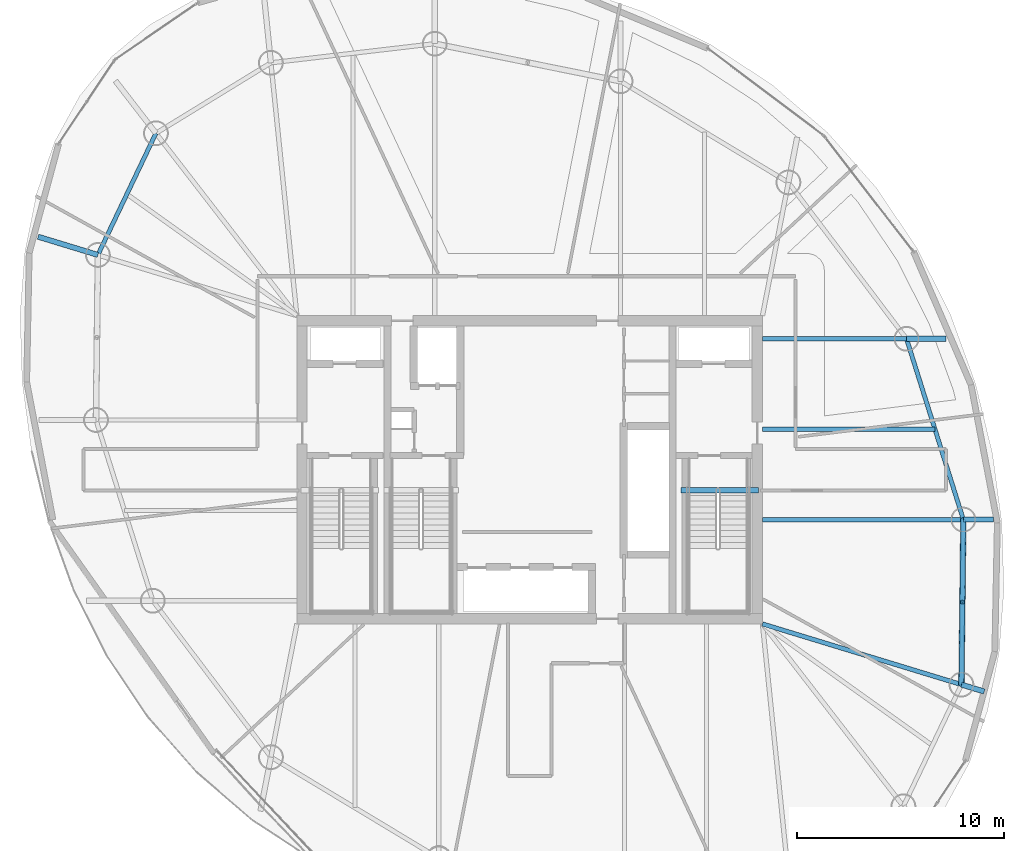
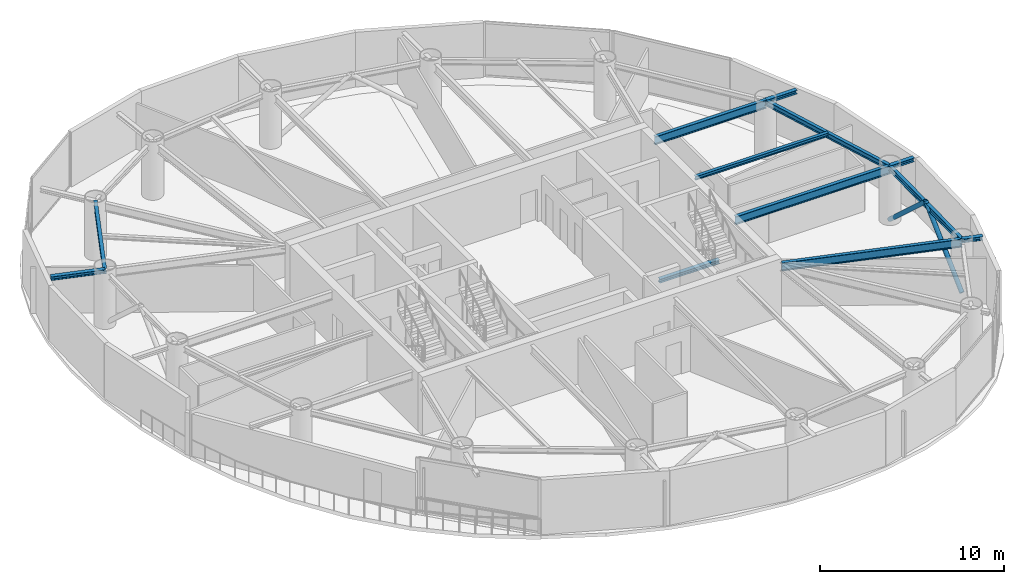
# One storey, part 5 of 16: 12 beams, 2 members.
"""IFC4 building model written with IfcOpenShell, lengths in metres."""

from ifc_helpers import new_model, si_unit, direction, frame, origin, origin_2d, place, context, subcontext, project, spatial, hollow_circle, i_section, extrude, material, material_profile, profile_set, type_object, element, save


model = new_model("IFC4")

# Units and contexts
model_context = context("Model", 3, precision=1e-05, world=origin(), true_north=direction((0.0, 1.0)))
body_context = subcontext(model_context, "Body", "Model", "MODEL_VIEW")
ifc_project = project(units=[si_unit("LENGTHUNIT", "METRE"), si_unit("AREAUNIT", "SQUARE_METRE"), si_unit("VOLUMEUNIT", "CUBIC_METRE"), si_unit("PLANEANGLEUNIT", "RADIAN"), si_unit("MASSUNIT", "GRAM", prefix="KILO")], contexts=[model_context])

# Site, building, storey
site_placement = place(None, origin())
site = spatial("IfcSite", under=ifc_project, at=site_placement, CompositionType="ELEMENT")
building_placement = place(site_placement, origin())
building = spatial("IfcBuilding", under=site, at=building_placement, Name="Bramvorn Convention Spire", CompositionType="ELEMENT")
storey_placement = place(building_placement, frame((0.0, 0.0, 209.699951171875)))
storey = spatial("IfcBuildingStorey", under=building, at=storey_placement, Name="L53", CompositionType="ELEMENT", Elevation=209.699951171875)

# Beams
ifc_material = material(Name="Steel CSA G40.21 Grade 350 (350W)", Category="steel")
ifc_material_profile_1 = material_profile(ifc_material, i_section(OverallWidth=0.201904296875, OverallDepth=0.2470703125, WebThickness=0.00732421875, FlangeThickness=0.010986328125, FilletRadius=0.011962890625, at=origin_2d()))
ifc_profile_set_1 = profile_set([ifc_material_profile_1], Name="Steel CSA G40.21 Grade 350 (350W) - W250X49")
beam_type_1 = type_object("IfcBeamType", Name="BM-W250X49", PredefinedType="JOIST", material=ifc_profile_set_1)
beam_1_placement = place(storey_placement, frame((49.25, 27.960205078125, 3.49658203125), z_axis=(1.0, 0.0, 0.0), x_axis=(0.0, 1.0, 0.0)))
element("IfcBeam", 1, at=beam_1_placement, inside=storey, type_object=beam_type_1, Name="L53 composite floor joist 03", PredefinedType="JOIST", context=body_context, shape_type="SweptSolid", body=[
    extrude(i_section(OverallWidth=0.201904296875, OverallDepth=0.2470703125, WebThickness=0.00732421875, FlangeThickness=0.010986328125, FilletRadius=0.011962890625, at=origin_2d()), origin(), (0.0, 0.0, 1.0), 8.33251953125),
])
ifc_material_profile_2 = material_profile(ifc_material, i_section(OverallWidth=0.25390625, OverallDepth=0.2529296875, WebThickness=0.008544921875, FlangeThickness=0.01416015625, FilletRadius=0.011962890625, at=origin_2d()))
ifc_profile_set_2 = profile_set([ifc_material_profile_2], Name="Steel CSA G40.21 Grade 350 (350W) - W250X73")
beam_type_2 = type_object("IfcBeamType", Name="BM-W250X73", PredefinedType="BEAM", material=ifc_profile_set_2)
beam_2_placement = place(storey_placement, frame((58.863037109375, 15.619384765625, 3.49365234375), z_axis=(0.956568548764, -0.291507481062, 0.0), x_axis=(0.291507481062, 0.956568548764, 0.0)))
element("IfcBeam", 2, at=beam_2_placement, inside=storey, type_object=beam_type_2, Name="L53 slab-edge cantilever tip beam MC02", PredefinedType="BEAM", context=body_context, shape_type="SweptSolid", body=[
    extrude(i_section(OverallWidth=0.25390625, OverallDepth=0.2529296875, WebThickness=0.008544921875, FlangeThickness=0.01416015625, FilletRadius=0.011962890625, at=origin_2d()), origin(), (0.0, 0.0, 1.0), 1.151611328125),
])
beam_3_placement = place(storey_placement, frame((58.95458984375, 23.593505859375, 3.49365234375), z_axis=(1.0, 0.0, 0.0), x_axis=(0.0, 1.0, 0.0)))
element("IfcBeam", 3, at=beam_3_placement, inside=storey, type_object=beam_type_2, Name="L53 slab-edge cantilever tip beam MC03", PredefinedType="BEAM", context=body_context, shape_type="SweptSolid", body=[
    extrude(i_section(OverallWidth=0.25390625, OverallDepth=0.2529296875, WebThickness=0.008544921875, FlangeThickness=0.01416015625, FilletRadius=0.011962890625, at=origin_2d()), origin(), (0.0, 0.0, 1.0), 1.467529296875),
])
beam_4_placement = place(storey_placement, frame((56.21044921875, 32.327392578125, 3.49365234375), z_axis=(1.0, 0.0, 0.0), x_axis=(0.0, 1.0, 0.0)))
element("IfcBeam", 4, at=beam_4_placement, inside=storey, type_object=beam_type_2, Name="L53 slab-edge cantilever tip beam MC04", PredefinedType="BEAM", context=body_context, shape_type="SweptSolid", body=[
    extrude(i_section(OverallWidth=0.25390625, OverallDepth=0.2529296875, WebThickness=0.008544921875, FlangeThickness=0.01416015625, FilletRadius=0.011962890625, at=origin_2d()), origin(), (0.0, 0.0, 1.0), 1.913330078125),
])
beam_5_placement = place(storey_placement, frame((17.136962890625, 36.380615234375, 3.49365234375), z_axis=(-0.956544591639, 0.291586083697, 0.0), x_axis=(-0.291586083697, -0.956544591639, 0.0)))
element("IfcBeam", 5, at=beam_5_placement, inside=storey, type_object=beam_type_2, Name="L53 slab-edge cantilever tip beam MC10", PredefinedType="BEAM", context=body_context, shape_type="SweptSolid", body=[
    extrude(i_section(OverallWidth=0.25390625, OverallDepth=0.2529296875, WebThickness=0.008544921875, FlangeThickness=0.01416015625, FilletRadius=0.011962890625, at=origin_2d()), origin(), (0.0, 0.0, 1.0), 3.02099609375),
])
beam_6_placement = place(storey_placement, frame((45.31005859375, 25.010009765625, -0.12646484375), z_axis=(1.0, 0.0, 0.0), x_axis=(0.0, 1.0, 0.0)))
element("IfcBeam", 6, at=beam_6_placement, inside=storey, type_object=beam_type_2, Name="L53 ST2 stair arrival header beam", PredefinedType="BEAM", context=body_context, shape_type="SweptSolid", body=[
    extrude(i_section(OverallWidth=0.25390625, OverallDepth=0.2529296875, WebThickness=0.008544921875, FlangeThickness=0.01416015625, FilletRadius=0.011962890625, at=origin_2d()), origin(), (0.0, 0.0, 1.0), 3.739990234375),
])
ifc_material_profile_3 = material_profile(ifc_material, i_section(OverallWidth=0.205078125, OverallDepth=0.35400390625, WebThickness=0.009521484375, FlangeThickness=0.016845703125, FilletRadius=0.014892578125, at=origin_2d()))
ifc_profile_set_3 = profile_set([ifc_material_profile_3], Name="Steel CSA G40.21 Grade 350 (350W) - W360X79")
beam_type_3 = type_object("IfcBeamType", Name="BM-W360X79", PredefinedType="JOIST", material=ifc_profile_set_3)
beam_7_placement = place(storey_placement, frame((58.863037109375, 15.619384765625, 3.443115234375), z_axis=(0.011480475367, 0.999934097171, 0.0), x_axis=(-0.999934097171, 0.011480475367, 0.0)))
element("IfcBeam", 7, at=beam_7_placement, inside=storey, type_object=beam_type_3, Name="L53 mega-column ring beam 02", PredefinedType="JOIST", context=body_context, shape_type="SweptSolid", body=[
    extrude(i_section(OverallWidth=0.205078125, OverallDepth=0.35400390625, WebThickness=0.009521484375, FlangeThickness=0.016845703125, FilletRadius=0.014892578125, at=origin_2d()), origin(), (0.0, 0.0, 1.0), 7.974609375),
])
beam_8_placement = place(storey_placement, frame((58.95458984375, 23.593505859375, 3.443115234375), z_axis=(-0.299747542929, 0.954018558786, 0.0), x_axis=(-0.954018558786, -0.299747542929, 0.0)))
element("IfcBeam", 8, at=beam_8_placement, inside=storey, type_object=beam_type_3, Name="L53 mega-column ring beam 03", PredefinedType="JOIST", context=body_context, shape_type="SweptSolid", body=[
    extrude(i_section(OverallWidth=0.205078125, OverallDepth=0.35400390625, WebThickness=0.009521484375, FlangeThickness=0.016845703125, FilletRadius=0.014892578125, at=origin_2d()), origin(), (0.0, 0.0, 1.0), 9.15478515625),
])
beam_9_placement = place(storey_placement, frame((19.941650390625, 42.260009765625, 3.443115234375), z_axis=(-0.430556138422, -0.902563799223, 0.0), x_axis=(0.902563799223, -0.430556138422, 0.0)))
element("IfcBeam", 9, at=beam_9_placement, inside=storey, type_object=beam_type_3, Name="L53 mega-column ring beam 09", PredefinedType="JOIST", context=body_context, shape_type="SweptSolid", body=[
    extrude(i_section(OverallWidth=0.205078125, OverallDepth=0.35400390625, WebThickness=0.009521484375, FlangeThickness=0.016845703125, FilletRadius=0.014892578125, at=origin_2d()), origin(), (0.0, 0.0, 1.0), 6.51416015625),
])
ifc_material_profile_4 = material_profile(ifc_material, i_section(OverallWidth=0.2119140625, OverallDepth=0.5439453125, WebThickness=0.01318359375, FlangeThickness=0.021240234375, FilletRadius=0.01904296875, at=origin_2d()))
ifc_profile_set_4 = profile_set([ifc_material_profile_4], Name="Steel CSA G40.21 Grade 350 (350W) - W530X123")
beam_type_4 = type_object("IfcBeamType", Name="BM-W530X123", PredefinedType="BEAM", material=ifc_profile_set_4)
beam_10_placement = place(storey_placement, frame((49.25, 18.550048828125, 3.34814453125), z_axis=(0.95653637984, -0.291613021044, 0.0), x_axis=(0.291613021044, 0.95653637984, 0.0)))
element("IfcBeam", 10, at=beam_10_placement, inside=storey, type_object=beam_type_4, Name="L53 radial floor girder MC02", PredefinedType="BEAM", context=body_context, shape_type="SweptSolid", body=[
    extrude(i_section(OverallWidth=0.2119140625, OverallDepth=0.5439453125, WebThickness=0.01318359375, FlangeThickness=0.021240234375, FilletRadius=0.01904296875, at=origin_2d()), origin(), (0.0, 0.0, 1.0), 10.0498046875),
])
beam_11_placement = place(storey_placement, frame((49.25, 23.593505859375, 3.34814453125), z_axis=(1.0, 0.0, 0.0), x_axis=(0.0, 1.0, 0.0)))
element("IfcBeam", 11, at=beam_11_placement, inside=storey, type_object=beam_type_4, Name="L53 radial floor girder MC03", PredefinedType="BEAM", context=body_context, shape_type="SweptSolid", body=[
    extrude(i_section(OverallWidth=0.2119140625, OverallDepth=0.5439453125, WebThickness=0.01318359375, FlangeThickness=0.021240234375, FilletRadius=0.01904296875, at=origin_2d()), origin(), (0.0, 0.0, 1.0), 9.70458984375),
])
beam_12_placement = place(storey_placement, frame((49.25, 32.327392578125, 3.34814453125), z_axis=(1.0, 0.0, 0.0), x_axis=(0.0, 1.0, 0.0)))
element("IfcBeam", 12, at=beam_12_placement, inside=storey, type_object=beam_type_4, Name="L53 radial floor girder MC04", PredefinedType="BEAM", context=body_context, shape_type="SweptSolid", body=[
    extrude(i_section(OverallWidth=0.2119140625, OverallDepth=0.5439453125, WebThickness=0.01318359375, FlangeThickness=0.021240234375, FilletRadius=0.01904296875, at=origin_2d()), origin(), (0.0, 0.0, 1.0), 6.96044921875),
])

# Members
ifc_material_profile_5 = material_profile(ifc_material, hollow_circle(Radius=0.136474609375, WallThickness=0.0126953125, at=origin_2d()))
ifc_profile_set_5 = profile_set([ifc_material_profile_5], Name="Steel CSA G40.21 Grade 350 (350W) - CHS273X13")
member_type = type_object("IfcMemberType", Name="MBR-CHS273X13", PredefinedType="BRACE", material=ifc_profile_set_5)
for number, where, z_axis, x_axis, name in (
    (13, (58.863037109375, 15.619384765625, 0.0), (0.008522537115, 0.740327412931, 0.672192448652), (-0.999933745256, 0.011511085917, 0.0), "L53 perimeter Gothic lancet brace 2A"),
    (14, (58.95458984375, 23.593505859375, 0.0), (-0.008477207738, -0.740327698195, 0.672192707662), (0.99993444815, -0.011449864785, 0.0), "L53 perimeter Gothic lancet brace 2B"),
):
    element("IfcMember", number, at=place(storey_placement, frame(where, z_axis=z_axis, x_axis=x_axis)), inside=storey, type_object=member_type, Name=name, PredefinedType="BRACE", context=body_context, shape_type="SweptSolid", body=[
        extrude(hollow_circle(Radius=0.136474609375, WallThickness=0.0126953125, at=origin_2d()), origin(), (0.0, 0.0, 1.0), 5.385498046875),
    ])

save(model, "model.ifc")
